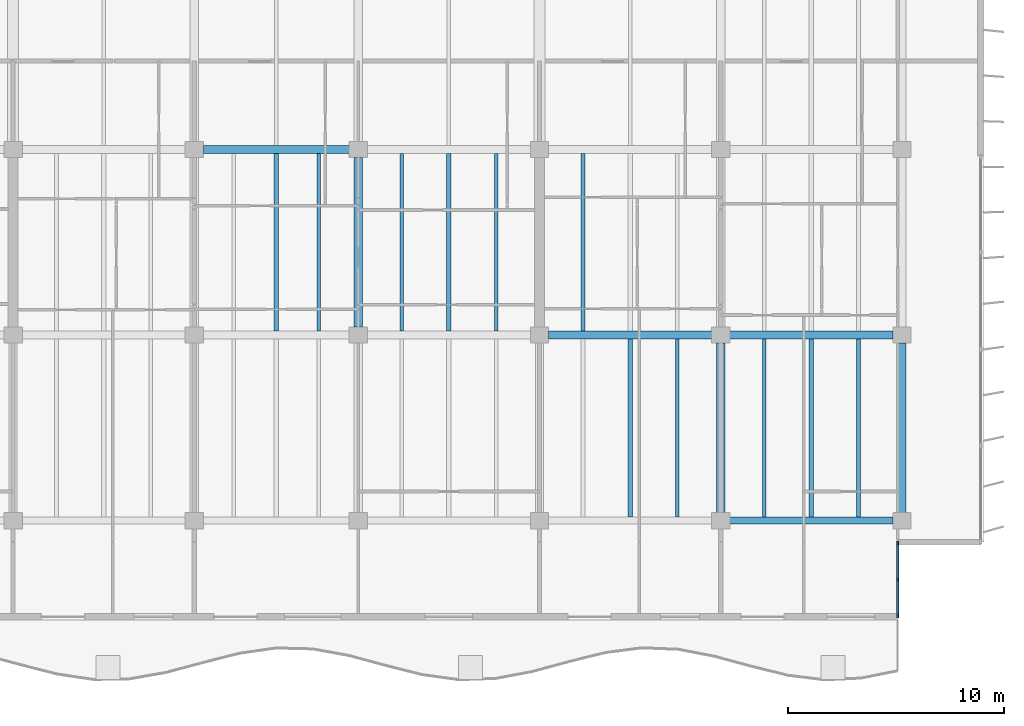
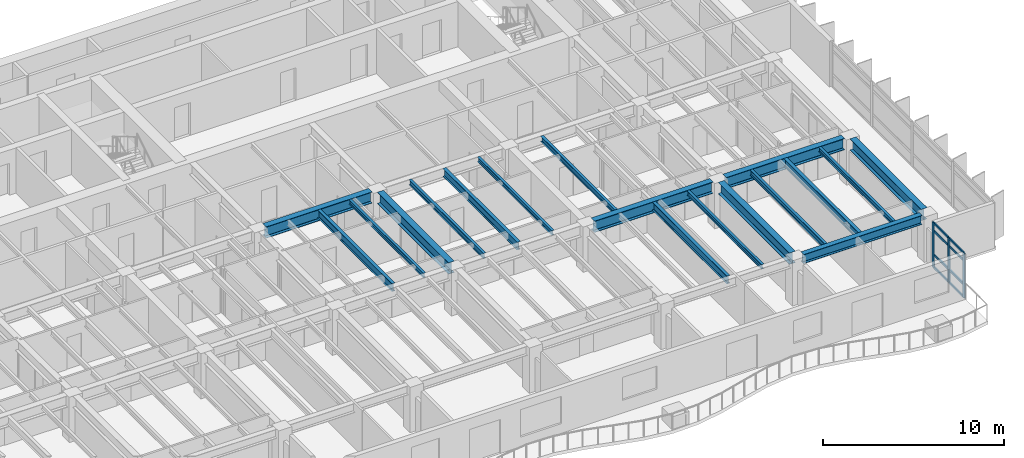
# One storey, part 4 of 19: 18 beams, 11 members, 1 element without a shape of its own.
"""IFC4 building model written with IfcOpenShell, lengths in metres."""

import ifcopenshell
import ifcopenshell.guid

model = None  # the IFC model being written
_history = None  # IfcOwnerHistory: only IFC2X3 demands one
_inside = {}  # id of a spatial element -> (the spatial element, [elements in it])
_under = {}  # id of a project, library or spatial element -> (it, [spatial elements below it])
_declared = {}  # id of a project -> (the project, [libraries it declares])
_typed = {}  # id of a type object -> (the type object, [elements of that type])
_made_of = {}  # id of a material, layer set ... -> (it, [elements and type objects made of it])


def new_model(schema):
    """Start an empty IFC model of exactly this schema.

    Asked for "IFC4X3", IfcOpenShell would pick the latest addendum, in which some entities
    have other attributes; the version numbers below select the first issue.
    IFC2X3 requires an IfcOwnerHistory on every rooted entity: one is made here for all.
    """
    global model, _history
    if schema == "IFC4X3":
        model = ifcopenshell.file(schema_version=(4, 3, 0, 0))
    else:
        model = ifcopenshell.file(schema=schema)
    _inside.clear()
    _under.clear()
    _declared.clear()
    _typed.clear()
    _made_of.clear()
    _history = None
    if model.schema == "IFC2X3":
        org = make("IfcOrganization", Name="unknown")
        user = make(
            "IfcPersonAndOrganization",
            ThePerson=make("IfcPerson", FamilyName="unknown"),
            TheOrganization=org,
        )
        app = make(
            "IfcApplication",
            ApplicationDeveloper=org,
            Version="unknown",
            ApplicationFullName="unknown",
            ApplicationIdentifier="unknown",
        )
        _history = make(
            "IfcOwnerHistory",
            OwningUser=user,
            OwningApplication=app,
            ChangeAction="ADDED",
            CreationDate=0,
        )
    return model


def make(cls, **values):
    """One entity of the class cls with the attributes given. An attribute that is None is left unset."""
    return model.create_entity(
        cls, **{name: value for name, value in values.items() if value is not None}
    )


def rooted(cls, **values):
    """An entity with a GlobalId (a new one), such as an element, a storey or a relation."""
    return make(cls, GlobalId=ifcopenshell.guid.new(), OwnerHistory=_history, **values)


def si_unit(unit_type, name, prefix=None):
    """IfcSIUnit, for example si_unit("LENGTHUNIT", "METRE", prefix="MILLI")."""
    return make("IfcSIUnit", UnitType=unit_type, Prefix=prefix, Name=name)


def assignment(units):
    """IfcUnitAssignment: the units of a project."""
    return None if units is None else make("IfcUnitAssignment", Units=units)


def point(xyz):
    """IfcCartesianPoint."""
    return None if xyz is None else make("IfcCartesianPoint", Coordinates=xyz)


def direction(xyz):
    """IfcDirection."""
    return None if xyz is None else make("IfcDirection", DirectionRatios=xyz)


def frame(location, z_axis=None, x_axis=None):
    """IfcAxis2Placement3D, a coordinate frame: its origin and axes. An axis left out is left unset."""
    return make(
        "IfcAxis2Placement3D",
        Location=point(location),
        Axis=direction(z_axis),
        RefDirection=direction(x_axis),
    )


def frame_2d(location, x_axis=None):
    """IfcAxis2Placement2D, a coordinate frame in the plane: its origin and x axis."""
    return make(
        "IfcAxis2Placement2D", Location=point(location), RefDirection=direction(x_axis)
    )


def origin():
    """The frame at (0, 0, 0) with its axes left unset."""
    return frame((0.0, 0.0, 0.0))


def origin_2d():
    """The frame at (0, 0) in the plane with its x axis left unset."""
    return frame_2d((0.0, 0.0))


def place(relative_to, where):
    """IfcLocalPlacement: puts the frame where relative to a parent placement (None: the world)."""
    return make(
        "IfcLocalPlacement", PlacementRelTo=relative_to, RelativePlacement=where
    )


def context(
    kind, dimensions, precision=None, world=None, true_north=None, identifier=None
):
    """IfcGeometricRepresentationContext, for example the 3D "Model" context."""
    return make(
        "IfcGeometricRepresentationContext",
        ContextIdentifier=identifier,
        ContextType=kind,
        CoordinateSpaceDimension=dimensions,
        Precision=precision,
        WorldCoordinateSystem=world,
        TrueNorth=true_north,
    )


def subcontext(parent, identifier, kind, view, scale=None):
    """IfcGeometricRepresentationSubContext, for example "Body" below "Model"."""
    return make(
        "IfcGeometricRepresentationSubContext",
        ContextIdentifier=identifier,
        ContextType=kind,
        ParentContext=parent,
        TargetScale=scale,
        TargetView=view,
    )


def project(units=None, contexts=None):
    """IfcProject with its units and contexts."""
    return rooted(
        "IfcProject",
        Name="project",
        RepresentationContexts=contexts,
        UnitsInContext=assignment(units),
    )


def spatial(cls, under=None, at=None, **own):
    """A site, building, storey or space (cls), placed at a placement, below another one or the project."""
    s = rooted(cls, ObjectPlacement=at, **own)
    if under is not None:
        _under.setdefault(under.id(), (under, []))[1].append(s)
    return s


def profile(cls, at=None, kind="AREA", **sizes):
    """A parametric profile (cls). Its sizes go by their IFC names, for example OverallWidth=200.0."""
    return make(cls, ProfileType=kind, Position=at, **sizes)


def rectangle(**sizes):
    """IfcRectangleProfileDef."""
    return profile("IfcRectangleProfileDef", **sizes)


def i_section(**sizes):
    """IfcIShapeProfileDef."""
    return profile("IfcIShapeProfileDef", **sizes)


def extrude(swept, where, along, depth):
    """IfcExtrudedAreaSolid: the profile swept, set in the frame where, extruded along a direction by depth."""
    return make(
        "IfcExtrudedAreaSolid",
        SweptArea=swept,
        Position=where,
        ExtrudedDirection=direction(along),
        Depth=depth,
    )


def shape(context_of_items, identifier, shape_type, items):
    """IfcShapeRepresentation: the items that make up one representation, for example the "Body"."""
    return make(
        "IfcShapeRepresentation",
        ContextOfItems=context_of_items,
        RepresentationIdentifier=identifier,
        RepresentationType=shape_type,
        Items=items,
    )


def material(Name=None, Category=None):
    """IfcMaterial."""
    return make("IfcMaterial", Name=Name, Category=Category)


def layer(
    of_material, thickness, ventilated=None, Name=None, Category=None, Priority=None
):
    """IfcMaterialLayer: one layer of a wall or slab, of a material (None: an air gap)."""
    return make(
        "IfcMaterialLayer",
        Material=of_material,
        LayerThickness=thickness,
        IsVentilated=ventilated,
        Name=Name,
        Category=Category,
        Priority=Priority,
    )


def layer_set(layers, Name=None):
    """IfcMaterialLayerSet."""
    return make("IfcMaterialLayerSet", MaterialLayers=layers, LayerSetName=Name)


def material_profile(
    of_material, cross_section, Name=None, Category=None, Priority=None
):
    """IfcMaterialProfile: a cross section and its material."""
    return make(
        "IfcMaterialProfile",
        Name=Name,
        Material=of_material,
        Profile=cross_section,
        Priority=Priority,
        Category=Category,
    )


def profile_set(profiles, Name=None, composite=None):
    """IfcMaterialProfileSet."""
    return make(
        "IfcMaterialProfileSet",
        Name=Name,
        MaterialProfiles=profiles,
        CompositeProfile=composite,
    )


def made_of(thing, what):
    """Note that an element or type object is made of a material, layer set ...; save() writes the relation."""
    if what is not None:
        _made_of.setdefault(what.id(), (what, []))[1].append(thing)
    return thing


def type_object(cls, material=None, **own):
    """A type object (cls), such as IfcWallType, which elements share."""
    return made_of(rooted(cls, **own), material)


def element(
    cls,
    number,
    at=None,
    inside=None,
    cuts=None,
    type_object=None,
    material=None,
    context=None,
    identifier="Body",
    shape_type=None,
    held_by="IfcProductDefinitionShape",
    body=None,
    shapes=None,
    **own,
):
    """One element of the class cls, such as IfcWall. Its Tag is "e" and its number.

    at: its placement. inside: the storey or other place that contains it. cuts: it is an
    opening in that element (IfcRelVoidsElement). A single representation is given by context,
    identifier, shape_type and body (its items); several are given by shapes. held_by: the class
    of the entity that holds the representations. save() writes the other relations.
    """
    e = rooted(cls, Tag="e%d" % number, ObjectPlacement=at, **own)
    if body is not None:
        shapes = [shape(context, identifier, shape_type, body)]
    if shapes is not None:
        e.Representation = make(held_by, Representations=shapes)
    if inside is not None:
        _inside.setdefault(inside.id(), (inside, []))[1].append(e)
    if cuts is not None:
        rooted(
            "IfcRelVoidsElement", RelatingBuildingElement=cuts, RelatedOpeningElement=e
        )
    if type_object is not None:
        _typed.setdefault(type_object.id(), (type_object, []))[1].append(e)
    return made_of(e, material)


def aggregate(whole, parts):
    """IfcRelAggregates: a whole, such as a stair, and the parts it consists of."""
    return rooted("IfcRelAggregates", RelatingObject=whole, RelatedObjects=parts)


def save(model, path):
    """Write the relations noted so far, then the file.

    IfcRelAggregates (storeys below a building ...), IfcRelContainedInSpatialStructure (elements
    in a storey), IfcRelDefinesByType, IfcRelAssociatesMaterial and IfcRelDeclares: one each for
    every whole, place, type object, material and project.
    """
    for whole, parts in _under.values():
        aggregate(whole, parts)
    for where, things in _inside.values():
        rooted(
            "IfcRelContainedInSpatialStructure",
            RelatedElements=things,
            RelatingStructure=where,
        )
    for kind, things in _typed.values():
        rooted("IfcRelDefinesByType", RelatedObjects=things, RelatingType=kind)
    for what, things in _made_of.values():
        rooted("IfcRelAssociatesMaterial", RelatedObjects=things, RelatingMaterial=what)
    for by, libraries in _declared.values():
        rooted("IfcRelDeclares", RelatingContext=by, RelatedDefinitions=libraries)
    model.write(path)


model = new_model("IFC4")

# Units and contexts
model_context = context("Model", 3, precision=1e-05, world=origin(), true_north=direction((0.0, 1.0)))
body_context = subcontext(model_context, "Body", "Model", "MODEL_VIEW")
ifc_project = project(units=[si_unit("LENGTHUNIT", "METRE"), si_unit("AREAUNIT", "SQUARE_METRE"), si_unit("VOLUMEUNIT", "CUBIC_METRE"), si_unit("PLANEANGLEUNIT", "RADIAN"), si_unit("MASSUNIT", "GRAM", prefix="KILO")], contexts=[model_context])

# Site, building, storey
site_placement = place(None, origin())
site = spatial("IfcSite", under=ifc_project, at=site_placement, CompositionType="ELEMENT")
building_placement = place(site_placement, origin())
building = spatial("IfcBuilding", under=site, at=building_placement, Name="Caelmar Bay Residences", CompositionType="ELEMENT")
storey_placement = place(building_placement, frame((0.0, 0.0, 191.699951171875)))
storey = spatial("IfcBuildingStorey", under=building, at=storey_placement, Name="L53", CompositionType="ELEMENT", Elevation=191.699951171875)

# Beams
ifc_material_1 = material(Name="Steel ASTM A992 Grade 50", Category="steel")
ifc_material_profile_1 = material_profile(ifc_material_1, i_section(OverallWidth=0.381103515625, OverallDepth=0.77197265625, WebThickness=0.0166015625, FlangeThickness=0.027099609375, FilletRadius=0.0166015625, at=origin_2d()), Name="W30X173")
ifc_profile_set_1 = profile_set([ifc_material_profile_1], Name="Steel ASTM A992 Grade 50")
beam_type_1 = type_object("IfcBeamType", Name="BM-GRD-W30X173", PredefinedType="BEAM", material=ifc_profile_set_1)
for number, where, z_axis, x_axis, name in (
    (1, (51.514892578125, 20.800048828125, 2.6640625), (1.0, 0.0, 0.0), (0.0, 1.0, 0.0), "L53 East-West Girder Y=20.80 (51.1-59.5)"),
    (2, (59.9150390625, 20.800048828125, 2.6640625), (1.0, 0.0, 0.0), (0.0, 1.0, 0.0), "L53 East-West Girder Y=20.80 (59.5-67.9)"),
):
    element("IfcBeam", number, at=place(storey_placement, frame(where, z_axis=z_axis, x_axis=x_axis)), inside=storey, type_object=beam_type_1, Name=name, PredefinedType="BEAM", context=body_context, shape_type="SweptSolid", body=[
        extrude(i_section(OverallWidth=0.381103515625, OverallDepth=0.77197265625, WebThickness=0.0166015625, FlangeThickness=0.027099609375, FilletRadius=0.0166015625, at=origin_2d()), origin(), (0.0, 0.0, 1.0), 7.570068359375),
    ])
beam_1_placement = place(storey_placement, frame((35.514892578125, 29.39990234375, 2.6640625), z_axis=(1.0, 0.0, 0.0), x_axis=(0.0, 1.0, 0.0)))
element("IfcBeam", 3, at=beam_1_placement, inside=storey, type_object=beam_type_1, Name="L53 East-West Girder Y=29.40 (35.1-42.7)", PredefinedType="BEAM", context=body_context, shape_type="SweptSolid", body=[
    extrude(i_section(OverallWidth=0.381103515625, OverallDepth=0.77197265625, WebThickness=0.0166015625, FlangeThickness=0.027099609375, FilletRadius=0.0166015625, at=origin_2d()), origin(), (0.0, 0.0, 1.0), 6.77001953125),
])
beam_2_placement = place(storey_placement, frame((42.699951171875, 21.1650390625, 2.6640625), z_axis=(0.0, 1.0, 0.0), x_axis=(-1.0, 0.0, 0.0)))
element("IfcBeam", 4, at=beam_2_placement, inside=storey, type_object=beam_type_1, Name="L53 North-South Girder X=42.70 (20.8-29.4)", PredefinedType="BEAM", context=body_context, shape_type="SweptSolid", body=[
    extrude(i_section(OverallWidth=0.381103515625, OverallDepth=0.77197265625, WebThickness=0.0166015625, FlangeThickness=0.027099609375, FilletRadius=0.0166015625, at=origin_2d()), origin(), (0.0, 0.0, 1.0), 7.869873046875),
])
for number, where, z_axis, x_axis, name in (
    (5, (59.5, 12.56494140625, 2.6640625), (0.0, 1.0, 0.0), (-1.0, 0.0, 0.0), "L53 North-South Girder X=59.50 (12.2-20.8)"),
    (6, (67.89990234375, 12.56494140625, 2.6640625), (0.0, 1.0, 0.0), (-1.0, 0.0, 0.0), "L53 North-South Girder X=67.90 (12.2-20.8)"),
):
    element("IfcBeam", number, at=place(storey_placement, frame(where, z_axis=z_axis, x_axis=x_axis)), inside=storey, type_object=beam_type_1, Name=name, PredefinedType="BEAM", context=body_context, shape_type="SweptSolid", body=[
        extrude(i_section(OverallWidth=0.381103515625, OverallDepth=0.77197265625, WebThickness=0.0166015625, FlangeThickness=0.027099609375, FilletRadius=0.0166015625, at=origin_2d()), origin(), (0.0, 0.0, 1.0), 7.8701171875),
    ])
ifc_material_profile_2 = material_profile(ifc_material_1, i_section(OverallWidth=0.1650390625, OverallDepth=0.31005859375, WebThickness=0.005859375, FlangeThickness=0.009765625, FilletRadius=0.007568359375, at=origin_2d()), Name="W12X26")
ifc_profile_set_2 = profile_set([ifc_material_profile_2], Name="Steel ASTM A992 Grade 50")
beam_type_2 = type_object("IfcBeamType", Name="BM-JST-W12X26", PredefinedType="JOIST", material=ifc_profile_set_2)
for number, where, z_axis, x_axis, name in (
    (7, (57.48388671875, 12.362548828125, 2.89501953125), (0.0, 1.0, 0.0), (-1.0, 0.0, 0.0), "L53 Composite Floor Joist 18"),
    (8, (65.884033203125, 12.362548828125, 2.89501953125), (0.0, 1.0, 0.0), (-1.0, 0.0, 0.0), "L53 Composite Floor Joist 21"),
):
    element("IfcBeam", number, at=place(storey_placement, frame(where, z_axis=z_axis, x_axis=x_axis)), inside=storey, type_object=beam_type_2, Name=name, PredefinedType="JOIST", context=body_context, shape_type="SweptSolid", body=[
        extrude(i_section(OverallWidth=0.1650390625, OverallDepth=0.31005859375, WebThickness=0.005859375, FlangeThickness=0.009765625, FilletRadius=0.007568359375, at=origin_2d()), origin(), (0.0, 0.0, 1.0), 8.2470703125),
    ])
for number, where, z_axis, x_axis, name in (
    (9, (40.8759765625, 20.990478515625, 2.89501953125), (0.0, 1.0, 0.0), (-1.0, 0.0, 0.0), "L53 Composite Floor Joist 33"),
    (10, (49.083984375, 20.990478515625, 2.89501953125), (0.0, 1.0, 0.0), (-1.0, 0.0, 0.0), "L53 Composite Floor Joist 36"),
):
    element("IfcBeam", number, at=place(storey_placement, frame(where, z_axis=z_axis, x_axis=x_axis)), inside=storey, type_object=beam_type_2, Name=name, PredefinedType="JOIST", context=body_context, shape_type="SweptSolid", body=[
        extrude(i_section(OverallWidth=0.1650390625, OverallDepth=0.31005859375, WebThickness=0.005859375, FlangeThickness=0.009765625, FilletRadius=0.007568359375, at=origin_2d()), origin(), (0.0, 0.0, 1.0), 8.218994140625),
    ])
ifc_material_profile_3 = material_profile(ifc_material_1, i_section(OverallWidth=0.1708984375, OverallDepth=0.35595703125, WebThickness=0.007080078125, FlangeThickness=0.01171875, FilletRadius=0.007568359375, at=origin_2d()), Name="W14X34")
ifc_profile_set_3 = profile_set([ifc_material_profile_3], Name="Steel ASTM A992 Grade 50")
beam_type_3 = type_object("IfcBeamType", Name="BM-JST-W14X34", PredefinedType="JOIST", material=ifc_profile_set_3)
beam_3_placement = place(storey_placement, frame((61.51611328125, 12.362548828125, 2.8720703125), z_axis=(0.0, 1.0, 0.0), x_axis=(-1.0, 0.0, 0.0)))
element("IfcBeam", 11, at=beam_3_placement, inside=storey, type_object=beam_type_3, Name="L53 Composite Floor Joist 19", PredefinedType="JOIST", context=body_context, shape_type="SweptSolid", body=[
    extrude(i_section(OverallWidth=0.1708984375, OverallDepth=0.35595703125, WebThickness=0.007080078125, FlangeThickness=0.01171875, FilletRadius=0.007568359375, at=origin_2d()), origin(), (0.0, 0.0, 1.0), 8.2470703125),
])
for number, where, z_axis, x_axis, name in (
    (12, (44.716064453125, 20.990478515625, 2.8720703125), (0.0, 1.0, 0.0), (-1.0, 0.0, 0.0), "L53 Composite Floor Joist 34"),
    (13, (53.115966796875, 20.990478515625, 2.8720703125), (0.0, 1.0, 0.0), (-1.0, 0.0, 0.0), "L53 Composite Floor Joist 37"),
):
    element("IfcBeam", number, at=place(storey_placement, frame(where, z_axis=z_axis, x_axis=x_axis)), inside=storey, type_object=beam_type_3, Name=name, PredefinedType="JOIST", context=body_context, shape_type="SweptSolid", body=[
        extrude(i_section(OverallWidth=0.1708984375, OverallDepth=0.35595703125, WebThickness=0.007080078125, FlangeThickness=0.01171875, FilletRadius=0.007568359375, at=origin_2d()), origin(), (0.0, 0.0, 1.0), 8.218994140625),
    ])
ifc_material_profile_4 = material_profile(ifc_material_1, i_section(OverallWidth=0.2099609375, OverallDepth=0.535888671875, WebThickness=0.010986328125, FlangeThickness=0.017333984375, FilletRadius=0.0126953125, at=origin_2d()), Name="W21X68")
ifc_profile_set_4 = profile_set([ifc_material_profile_4], Name="Steel ASTM A992 Grade 50")
beam_type_4 = type_object("IfcBeamType", Name="BM-JST-W21X68", PredefinedType="JOIST", material=ifc_profile_set_4)
for number, where, z_axis, x_axis, name in (
    (14, (55.300048828125, 12.362548828125, 2.781982421875), (0.0, 1.0, 0.0), (-1.0, 0.0, 0.0), "L53 Composite Floor Joist 17"),
    (15, (63.699951171875, 12.362548828125, 2.781982421875), (0.0, 1.0, 0.0), (-1.0, 0.0, 0.0), "L53 Composite Floor Joist 20"),
):
    element("IfcBeam", number, at=place(storey_placement, frame(where, z_axis=z_axis, x_axis=x_axis)), inside=storey, type_object=beam_type_4, Name=name, PredefinedType="JOIST", context=body_context, shape_type="SweptSolid", body=[
        extrude(i_section(OverallWidth=0.2099609375, OverallDepth=0.535888671875, WebThickness=0.010986328125, FlangeThickness=0.017333984375, FilletRadius=0.0126953125, at=origin_2d()), origin(), (0.0, 0.0, 1.0), 8.2470703125),
    ])
for number, where, z_axis, x_axis, name in (
    (16, (38.89990234375, 20.990478515625, 2.781982421875), (0.0, 1.0, 0.0), (-1.0, 0.0, 0.0), "L53 Composite Floor Joist 32"),
    (17, (46.89990234375, 20.990478515625, 2.781982421875), (0.0, 1.0, 0.0), (-1.0, 0.0, 0.0), "L53 Composite Floor Joist 35"),
):
    element("IfcBeam", number, at=place(storey_placement, frame(where, z_axis=z_axis, x_axis=x_axis)), inside=storey, type_object=beam_type_4, Name=name, PredefinedType="JOIST", context=body_context, shape_type="SweptSolid", body=[
        extrude(i_section(OverallWidth=0.2099609375, OverallDepth=0.535888671875, WebThickness=0.010986328125, FlangeThickness=0.017333984375, FilletRadius=0.0126953125, at=origin_2d()), origin(), (0.0, 0.0, 1.0), 8.218994140625),
    ])
ifc_material_profile_5 = material_profile(ifc_material_1, i_section(OverallWidth=0.324951171875, OverallDepth=0.616943359375, WebThickness=0.013916015625, FlangeThickness=0.021484375, FilletRadius=0.0126953125, at=origin_2d()), Name="W24X117")
ifc_profile_set_5 = profile_set([ifc_material_profile_5], Name="Steel ASTM A992 Grade 50")
beam_type_5 = type_object("IfcBeamType", Name="BM-SPN-W24X117", PredefinedType="SPANDREL", material=ifc_profile_set_5)
beam_4_placement = place(storey_placement, frame((59.9150390625, 12.199951171875, 2.741455078125), z_axis=(1.0, 0.0, 0.0), x_axis=(0.0, 1.0, 0.0)))
element("IfcBeam", 18, at=beam_4_placement, inside=storey, type_object=beam_type_5, Name="L53 East-West Girder Y=12.20 (59.5-67.9)", PredefinedType="SPANDREL", context=body_context, shape_type="SweptSolid", body=[
    extrude(i_section(OverallWidth=0.324951171875, OverallDepth=0.616943359375, WebThickness=0.013916015625, FlangeThickness=0.021484375, FilletRadius=0.0126953125, at=origin_2d()), origin(), (0.0, 0.0, 1.0), 7.570068359375),
])

# Curtain wall, members
ifc_material_2 = material(Name="Anodised bronze aluminium 6063-T6 and laminated glass", Category="aluminium")
ifc_layer = layer(ifc_material_2, 0.179931640625)
ifc_layer_set = layer_set([ifc_layer], Name="Anodised bronze aluminium 6063-T6 and laminated glass")
curtain_wall_type = type_object("IfcCurtainWallType", Name="CW6-NTC", PredefinedType="NOTDEFINED", material=ifc_layer_set)
curtain_wall_placement = place(storey_placement, origin())
curtain_wall = element("IfcCurtainWall", 19, at=curtain_wall_placement, inside=storey, type_object=curtain_wall_type, Name="CW6 curtain wall L53", PredefinedType="NOTDEFINED")
ifc_material_3 = material(Name="Anodised bronze aluminium 6063-T6", Category="aluminium")
ifc_material_profile_6 = material_profile(ifc_material_3, rectangle(XDim=0.080078125, YDim=0.179931640625, at=origin_2d()), Name="CWM-80X180")
ifc_profile_set_6 = profile_set([ifc_material_profile_6], Name="Anodised bronze aluminium 6063-T6")
member_type_1 = type_object("IfcMemberType", Name="CWM-180", PredefinedType="MULLION", material=ifc_profile_set_6)
member_1_placement = place(storey_placement, frame((67.699951171875, 7.7900390625, 0.0), z_axis=(0.0, 0.0, 1.0), x_axis=(-1.0, 0.0, 0.0)))
member_1 = element("IfcMember", 20, at=member_1_placement, type_object=member_type_1, Name="CW6 mullion 1", PredefinedType="MULLION", context=body_context, shape_type="SweptSolid", body=[
    extrude(rectangle(XDim=0.080078125, YDim=0.179931640625, at=origin_2d()), origin(), (0.0, 0.0, 1.0), 3.050048828125),
])
member_2_placement = place(storey_placement, frame((67.699951171875, 9.47509765625, 0.0), z_axis=(0.0, 0.0, 1.0), x_axis=(-1.0, 0.0, 0.0)))
member_2 = element("IfcMember", 21, at=member_2_placement, type_object=member_type_1, Name="CW6 mullion 2", PredefinedType="MULLION", context=body_context, shape_type="SweptSolid", body=[
    extrude(rectangle(XDim=0.080078125, YDim=0.179931640625, at=origin_2d()), origin(), (0.0, 0.0, 1.0), 3.050048828125),
])
member_3_placement = place(storey_placement, frame((67.699951171875, 11.159912109375, 0.0), z_axis=(0.0, 0.0, 1.0), x_axis=(-1.0, 0.0, 0.0)))
member_3 = element("IfcMember", 22, at=member_3_placement, type_object=member_type_1, Name="CW6 mullion 3", PredefinedType="MULLION", context=body_context, shape_type="SweptSolid", body=[
    extrude(rectangle(XDim=0.080078125, YDim=0.179931640625, at=origin_2d()), origin(), (0.0, 0.0, 1.0), 3.050048828125),
])
ifc_material_profile_7 = material_profile(ifc_material_3, rectangle(XDim=0.080078125, YDim=0.139892578125, at=origin_2d()), Name="CWT-80X140")
ifc_profile_set_7 = profile_set([ifc_material_profile_7], Name="Anodised bronze aluminium 6063-T6")
member_type_2 = type_object("IfcMemberType", Name="CWT-140", PredefinedType="NOTDEFINED", material=ifc_profile_set_7)
member_4_placement = place(storey_placement, frame((67.699951171875, 7.830078125, 0.0400390625), z_axis=(0.0, 1.0, 0.0), x_axis=(-1.0, 0.0, 0.0)))
member_4 = element("IfcMember", 23, at=member_4_placement, type_object=member_type_2, Name="CW6 transom 1.1", ObjectType="TRANSOM", PredefinedType="USERDEFINED", context=body_context, shape_type="SweptSolid", body=[
    extrude(rectangle(XDim=0.080078125, YDim=0.139892578125, at=origin_2d()), origin(), (0.0, 0.0, 1.0), 1.60498046875),
])
member_5_placement = place(storey_placement, frame((67.699951171875, 7.830078125, 0.900146484375), z_axis=(0.0, 1.0, 0.0), x_axis=(-1.0, 0.0, 0.0)))
member_5 = element("IfcMember", 24, at=member_5_placement, type_object=member_type_2, Name="CW6 transom 1.2", ObjectType="TRANSOM", PredefinedType="USERDEFINED", context=body_context, shape_type="SweptSolid", body=[
    extrude(rectangle(XDim=0.080078125, YDim=0.139892578125, at=origin_2d()), origin(), (0.0, 0.0, 1.0), 1.60498046875),
])
member_6_placement = place(storey_placement, frame((67.699951171875, 7.830078125, 2.5), z_axis=(0.0, 1.0, 0.0), x_axis=(-1.0, 0.0, 0.0)))
member_6 = element("IfcMember", 25, at=member_6_placement, type_object=member_type_2, Name="CW6 transom 1.3", ObjectType="TRANSOM", PredefinedType="USERDEFINED", context=body_context, shape_type="SweptSolid", body=[
    extrude(rectangle(XDim=0.080078125, YDim=0.139892578125, at=origin_2d()), origin(), (0.0, 0.0, 1.0), 1.60498046875),
])
member_7_placement = place(storey_placement, frame((67.699951171875, 7.830078125, 3.010009765625), z_axis=(0.0, 1.0, 0.0), x_axis=(-1.0, 0.0, 0.0)))
member_7 = element("IfcMember", 26, at=member_7_placement, type_object=member_type_2, Name="CW6 transom 1.4", ObjectType="TRANSOM", PredefinedType="USERDEFINED", context=body_context, shape_type="SweptSolid", body=[
    extrude(rectangle(XDim=0.080078125, YDim=0.139892578125, at=origin_2d()), origin(), (0.0, 0.0, 1.0), 1.60498046875),
])
member_8_placement = place(storey_placement, frame((67.699951171875, 9.514892578125, 0.0400390625), z_axis=(0.0, 1.0, 0.0), x_axis=(-1.0, 0.0, 0.0)))
member_8 = element("IfcMember", 27, at=member_8_placement, type_object=member_type_2, Name="CW6 transom 2.1", ObjectType="TRANSOM", PredefinedType="USERDEFINED", context=body_context, shape_type="SweptSolid", body=[
    extrude(rectangle(XDim=0.080078125, YDim=0.139892578125, at=origin_2d()), origin(), (0.0, 0.0, 1.0), 1.605224609375),
])
member_9_placement = place(storey_placement, frame((67.699951171875, 9.514892578125, 0.900146484375), z_axis=(0.0, 1.0, 0.0), x_axis=(-1.0, 0.0, 0.0)))
member_9 = element("IfcMember", 28, at=member_9_placement, type_object=member_type_2, Name="CW6 transom 2.2", ObjectType="TRANSOM", PredefinedType="USERDEFINED", context=body_context, shape_type="SweptSolid", body=[
    extrude(rectangle(XDim=0.080078125, YDim=0.139892578125, at=origin_2d()), origin(), (0.0, 0.0, 1.0), 1.605224609375),
])
member_10_placement = place(storey_placement, frame((67.699951171875, 9.514892578125, 2.5), z_axis=(0.0, 1.0, 0.0), x_axis=(-1.0, 0.0, 0.0)))
member_10 = element("IfcMember", 29, at=member_10_placement, type_object=member_type_2, Name="CW6 transom 2.3", ObjectType="TRANSOM", PredefinedType="USERDEFINED", context=body_context, shape_type="SweptSolid", body=[
    extrude(rectangle(XDim=0.080078125, YDim=0.139892578125, at=origin_2d()), origin(), (0.0, 0.0, 1.0), 1.605224609375),
])
member_11_placement = place(storey_placement, frame((67.699951171875, 9.514892578125, 3.010009765625), z_axis=(0.0, 1.0, 0.0), x_axis=(-1.0, 0.0, 0.0)))
member_11 = element("IfcMember", 30, at=member_11_placement, type_object=member_type_2, Name="CW6 transom 2.4", ObjectType="TRANSOM", PredefinedType="USERDEFINED", context=body_context, shape_type="SweptSolid", body=[
    extrude(rectangle(XDim=0.080078125, YDim=0.139892578125, at=origin_2d()), origin(), (0.0, 0.0, 1.0), 1.605224609375),
])
aggregate(curtain_wall, [member_1, member_2, member_3, member_4, member_5, member_6, member_7, member_8, member_9, member_10, member_11])

save(model, "model.ifc")
